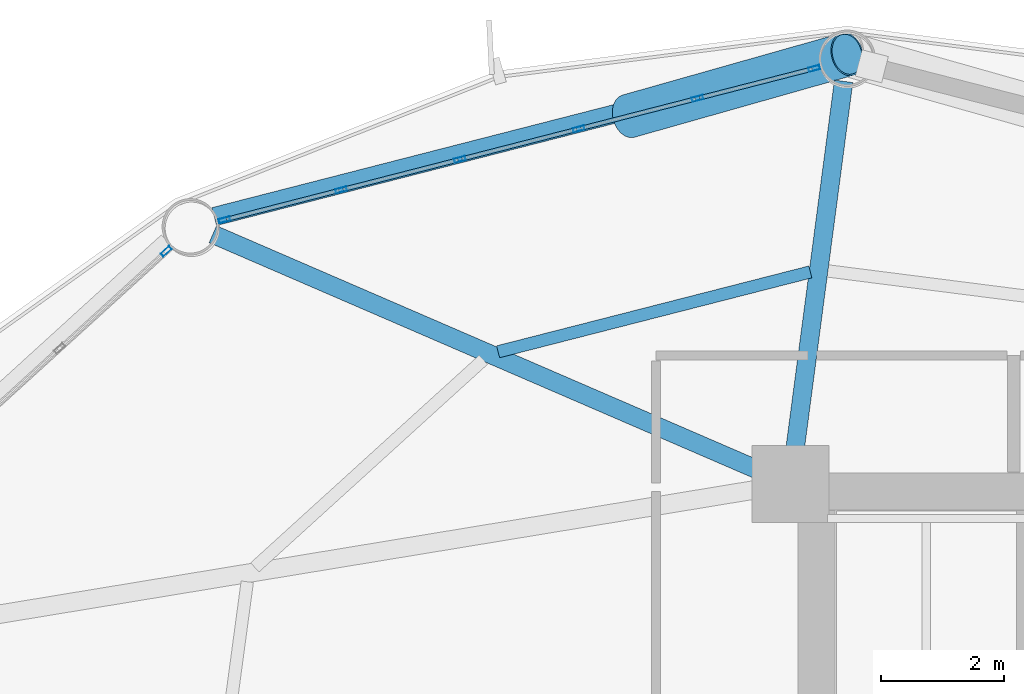
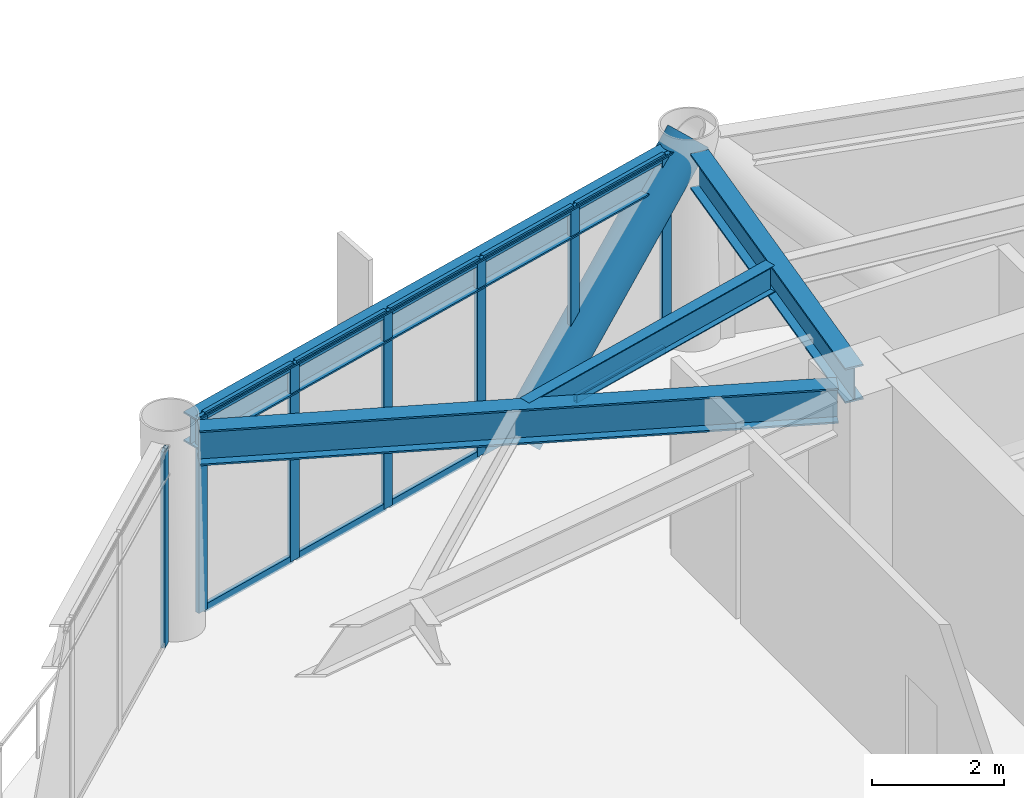
# One storey, part 16 of 25: 18 members, 4 beams, 2 elements without a shape of their own.
"""IFC4 building model written with IfcOpenShell, lengths in metres."""

import ifcopenshell
import ifcopenshell.guid

model = None  # the IFC model being written
_history = None  # IfcOwnerHistory: only IFC2X3 demands one
_inside = {}  # id of a spatial element -> (the spatial element, [elements in it])
_under = {}  # id of a project, library or spatial element -> (it, [spatial elements below it])
_declared = {}  # id of a project -> (the project, [libraries it declares])
_typed = {}  # id of a type object -> (the type object, [elements of that type])
_made_of = {}  # id of a material, layer set ... -> (it, [elements and type objects made of it])


def new_model(schema):
    """Start an empty IFC model of exactly this schema.

    Asked for "IFC4X3", IfcOpenShell would pick the latest addendum, in which some entities
    have other attributes; the version numbers below select the first issue.
    IFC2X3 requires an IfcOwnerHistory on every rooted entity: one is made here for all.
    """
    global model, _history
    if schema == "IFC4X3":
        model = ifcopenshell.file(schema_version=(4, 3, 0, 0))
    else:
        model = ifcopenshell.file(schema=schema)
    _inside.clear()
    _under.clear()
    _declared.clear()
    _typed.clear()
    _made_of.clear()
    _history = None
    if model.schema == "IFC2X3":
        org = make("IfcOrganization", Name="unknown")
        user = make(
            "IfcPersonAndOrganization",
            ThePerson=make("IfcPerson", FamilyName="unknown"),
            TheOrganization=org,
        )
        app = make(
            "IfcApplication",
            ApplicationDeveloper=org,
            Version="unknown",
            ApplicationFullName="unknown",
            ApplicationIdentifier="unknown",
        )
        _history = make(
            "IfcOwnerHistory",
            OwningUser=user,
            OwningApplication=app,
            ChangeAction="ADDED",
            CreationDate=0,
        )
    return model


def make(cls, **values):
    """One entity of the class cls with the attributes given. An attribute that is None is left unset."""
    return model.create_entity(
        cls, **{name: value for name, value in values.items() if value is not None}
    )


def rooted(cls, **values):
    """An entity with a GlobalId (a new one), such as an element, a storey or a relation."""
    return make(cls, GlobalId=ifcopenshell.guid.new(), OwnerHistory=_history, **values)


def si_unit(unit_type, name, prefix=None):
    """IfcSIUnit, for example si_unit("LENGTHUNIT", "METRE", prefix="MILLI")."""
    return make("IfcSIUnit", UnitType=unit_type, Prefix=prefix, Name=name)


def assignment(units):
    """IfcUnitAssignment: the units of a project."""
    return None if units is None else make("IfcUnitAssignment", Units=units)


def point(xyz):
    """IfcCartesianPoint."""
    return None if xyz is None else make("IfcCartesianPoint", Coordinates=xyz)


def direction(xyz):
    """IfcDirection."""
    return None if xyz is None else make("IfcDirection", DirectionRatios=xyz)


def frame(location, z_axis=None, x_axis=None):
    """IfcAxis2Placement3D, a coordinate frame: its origin and axes. An axis left out is left unset."""
    return make(
        "IfcAxis2Placement3D",
        Location=point(location),
        Axis=direction(z_axis),
        RefDirection=direction(x_axis),
    )


def frame_2d(location, x_axis=None):
    """IfcAxis2Placement2D, a coordinate frame in the plane: its origin and x axis."""
    return make(
        "IfcAxis2Placement2D", Location=point(location), RefDirection=direction(x_axis)
    )


def origin():
    """The frame at (0, 0, 0) with its axes left unset."""
    return frame((0.0, 0.0, 0.0))


def origin_2d():
    """The frame at (0, 0) in the plane with its x axis left unset."""
    return frame_2d((0.0, 0.0))


def place(relative_to, where):
    """IfcLocalPlacement: puts the frame where relative to a parent placement (None: the world)."""
    return make(
        "IfcLocalPlacement", PlacementRelTo=relative_to, RelativePlacement=where
    )


def context(
    kind, dimensions, precision=None, world=None, true_north=None, identifier=None
):
    """IfcGeometricRepresentationContext, for example the 3D "Model" context."""
    return make(
        "IfcGeometricRepresentationContext",
        ContextIdentifier=identifier,
        ContextType=kind,
        CoordinateSpaceDimension=dimensions,
        Precision=precision,
        WorldCoordinateSystem=world,
        TrueNorth=true_north,
    )


def subcontext(parent, identifier, kind, view, scale=None):
    """IfcGeometricRepresentationSubContext, for example "Body" below "Model"."""
    return make(
        "IfcGeometricRepresentationSubContext",
        ContextIdentifier=identifier,
        ContextType=kind,
        ParentContext=parent,
        TargetScale=scale,
        TargetView=view,
    )


def project(units=None, contexts=None):
    """IfcProject with its units and contexts."""
    return rooted(
        "IfcProject",
        Name="project",
        RepresentationContexts=contexts,
        UnitsInContext=assignment(units),
    )


def spatial(cls, under=None, at=None, **own):
    """A site, building, storey or space (cls), placed at a placement, below another one or the project."""
    s = rooted(cls, ObjectPlacement=at, **own)
    if under is not None:
        _under.setdefault(under.id(), (under, []))[1].append(s)
    return s


def profile(cls, at=None, kind="AREA", **sizes):
    """A parametric profile (cls). Its sizes go by their IFC names, for example OverallWidth=200.0."""
    return make(cls, ProfileType=kind, Position=at, **sizes)


def hollow_rectangle(**sizes):
    """IfcRectangleHollowProfileDef."""
    return profile("IfcRectangleHollowProfileDef", **sizes)


def hollow_circle(**sizes):
    """IfcCircleHollowProfileDef."""
    return profile("IfcCircleHollowProfileDef", **sizes)


def i_section(**sizes):
    """IfcIShapeProfileDef."""
    return profile("IfcIShapeProfileDef", **sizes)


def extrude(swept, where, along, depth):
    """IfcExtrudedAreaSolid: the profile swept, set in the frame where, extruded along a direction by depth."""
    return make(
        "IfcExtrudedAreaSolid",
        SweptArea=swept,
        Position=where,
        ExtrudedDirection=direction(along),
        Depth=depth,
    )


def shape(context_of_items, identifier, shape_type, items):
    """IfcShapeRepresentation: the items that make up one representation, for example the "Body"."""
    return make(
        "IfcShapeRepresentation",
        ContextOfItems=context_of_items,
        RepresentationIdentifier=identifier,
        RepresentationType=shape_type,
        Items=items,
    )


def material(Name=None, Category=None):
    """IfcMaterial."""
    return make("IfcMaterial", Name=Name, Category=Category)


def layer(
    of_material, thickness, ventilated=None, Name=None, Category=None, Priority=None
):
    """IfcMaterialLayer: one layer of a wall or slab, of a material (None: an air gap)."""
    return make(
        "IfcMaterialLayer",
        Material=of_material,
        LayerThickness=thickness,
        IsVentilated=ventilated,
        Name=Name,
        Category=Category,
        Priority=Priority,
    )


def layer_set(layers, Name=None):
    """IfcMaterialLayerSet."""
    return make("IfcMaterialLayerSet", MaterialLayers=layers, LayerSetName=Name)


def material_profile(
    of_material, cross_section, Name=None, Category=None, Priority=None
):
    """IfcMaterialProfile: a cross section and its material."""
    return make(
        "IfcMaterialProfile",
        Name=Name,
        Material=of_material,
        Profile=cross_section,
        Priority=Priority,
        Category=Category,
    )


def profile_set(profiles, Name=None, composite=None):
    """IfcMaterialProfileSet."""
    return make(
        "IfcMaterialProfileSet",
        Name=Name,
        MaterialProfiles=profiles,
        CompositeProfile=composite,
    )


def made_of(thing, what):
    """Note that an element or type object is made of a material, layer set ...; save() writes the relation."""
    if what is not None:
        _made_of.setdefault(what.id(), (what, []))[1].append(thing)
    return thing


def type_object(cls, material=None, **own):
    """A type object (cls), such as IfcWallType, which elements share."""
    return made_of(rooted(cls, **own), material)


def element(
    cls,
    number,
    at=None,
    inside=None,
    cuts=None,
    type_object=None,
    material=None,
    context=None,
    identifier="Body",
    shape_type=None,
    held_by="IfcProductDefinitionShape",
    body=None,
    shapes=None,
    **own,
):
    """One element of the class cls, such as IfcWall. Its Tag is "e" and its number.

    at: its placement. inside: the storey or other place that contains it. cuts: it is an
    opening in that element (IfcRelVoidsElement). A single representation is given by context,
    identifier, shape_type and body (its items); several are given by shapes. held_by: the class
    of the entity that holds the representations. save() writes the other relations.
    """
    e = rooted(cls, Tag="e%d" % number, ObjectPlacement=at, **own)
    if body is not None:
        shapes = [shape(context, identifier, shape_type, body)]
    if shapes is not None:
        e.Representation = make(held_by, Representations=shapes)
    if inside is not None:
        _inside.setdefault(inside.id(), (inside, []))[1].append(e)
    if cuts is not None:
        rooted(
            "IfcRelVoidsElement", RelatingBuildingElement=cuts, RelatedOpeningElement=e
        )
    if type_object is not None:
        _typed.setdefault(type_object.id(), (type_object, []))[1].append(e)
    return made_of(e, material)


def aggregate(whole, parts):
    """IfcRelAggregates: a whole, such as a stair, and the parts it consists of."""
    return rooted("IfcRelAggregates", RelatingObject=whole, RelatedObjects=parts)


def save(model, path):
    """Write the relations noted so far, then the file.

    IfcRelAggregates (storeys below a building ...), IfcRelContainedInSpatialStructure (elements
    in a storey), IfcRelDefinesByType, IfcRelAssociatesMaterial and IfcRelDeclares: one each for
    every whole, place, type object, material and project.
    """
    for whole, parts in _under.values():
        aggregate(whole, parts)
    for where, things in _inside.values():
        rooted(
            "IfcRelContainedInSpatialStructure",
            RelatedElements=things,
            RelatingStructure=where,
        )
    for kind, things in _typed.values():
        rooted("IfcRelDefinesByType", RelatedObjects=things, RelatingType=kind)
    for what, things in _made_of.values():
        rooted("IfcRelAssociatesMaterial", RelatedObjects=things, RelatingMaterial=what)
    for by, libraries in _declared.values():
        rooted("IfcRelDeclares", RelatingContext=by, RelatedDefinitions=libraries)
    model.write(path)


model = new_model("IFC4")

# Units and contexts
model_context = context("Model", 3, precision=1e-05, world=origin(), true_north=direction((0.0, 1.0)))
body_context = subcontext(model_context, "Body", "Model", "MODEL_VIEW")
ifc_project = project(units=[si_unit("LENGTHUNIT", "METRE"), si_unit("AREAUNIT", "SQUARE_METRE"), si_unit("VOLUMEUNIT", "CUBIC_METRE"), si_unit("PLANEANGLEUNIT", "RADIAN"), si_unit("MASSUNIT", "GRAM", prefix="KILO")], contexts=[model_context])

# Site, building, storey
site_placement = place(None, origin())
site = spatial("IfcSite", under=ifc_project, at=site_placement, CompositionType="ELEMENT")
building_placement = place(site_placement, origin())
building = spatial("IfcBuilding", under=site, at=building_placement, Name="Varnakorn Sky Granary", CompositionType="ELEMENT")
storey_placement = place(building_placement, frame((0.0, 0.0, 58.800048828125)))
storey = spatial("IfcBuildingStorey", under=building, at=storey_placement, Name="L14", CompositionType="ELEMENT", Elevation=58.800048828125)

# Beams
ifc_material_1 = material(Name="Steel S355JR", Category="steel")
ifc_material_profile_1 = material_profile(ifc_material_1, i_section(OverallWidth=0.300048828125, OverallDepth=0.64990234375, WebThickness=0.01611328125, FlangeThickness=0.031005859375, at=origin_2d()), Name="HE 650 B")
ifc_profile_set_1 = profile_set([ifc_material_profile_1], Name="Steel S355JR")
beam_type_1 = type_object("IfcBeamType", Name="BM-RAD-Z1", PredefinedType="BEAM", material=ifc_profile_set_1)
beam_1_placement = place(storey_placement, frame((-2.364990234375, 13.036376953125, 3.31494140625), z_axis=(0.130995683255, 0.991382938611, 0.0), x_axis=(-0.991382938611, 0.130995683255, 0.0)))
element("IfcBeam", 1, at=beam_1_placement, inside=storey, type_object=beam_type_1, Name="Radial Floor Girder RG04 L14", PredefinedType="BEAM", context=body_context, shape_type="SweptSolid", body=[
    extrude(i_section(OverallWidth=0.300048828125, OverallDepth=0.64990234375, WebThickness=0.01611328125, FlangeThickness=0.031005859375, at=origin_2d()), origin(), (0.0, 0.0, 1.0), 6.161376953125),
])
beam_2_placement = place(storey_placement, frame((-2.805419921875, 12.78662109375, 3.31494140625), z_axis=(-0.91787326187, 0.396873626164, 0.0), x_axis=(-0.396873626164, -0.91787326187, 0.0)))
element("IfcBeam", 2, at=beam_2_placement, inside=storey, type_object=beam_type_1, Name="Radial Floor Girder RG05 L14", PredefinedType="BEAM", context=body_context, shape_type="SweptSolid", body=[
    extrude(i_section(OverallWidth=0.300048828125, OverallDepth=0.64990234375, WebThickness=0.01611328125, FlangeThickness=0.031005859375, at=origin_2d()), origin(), (0.0, 0.0, 1.0), 9.77734375),
])
ifc_material_profile_2 = material_profile(ifc_material_1, i_section(OverallWidth=0.199951171875, OverallDepth=0.5, WebThickness=0.01025390625, FlangeThickness=0.01611328125, at=origin_2d()), Name="IPE 500")
ifc_profile_set_2 = profile_set([ifc_material_profile_2], Name="Steel S355JR")
beam_type_2 = type_object("IfcBeamType", Name="BM-SEC-Z1", PredefinedType="BEAM", material=ifc_profile_set_2)
beam_3_placement = place(storey_placement, frame((-2.09716796875, 16.055908203125, 3.389892578125), z_axis=(-0.968811056514, -0.247800598822, 0.0), x_axis=(0.247800598822, -0.968811056514, 0.0)))
element("IfcBeam", 3, at=beam_3_placement, inside=storey, type_object=beam_type_2, Name="Secondary Floor Chord Beam MSB04 L14", PredefinedType="BEAM", context=body_context, shape_type="SweptSolid", body=[
    extrude(i_section(OverallWidth=0.199951171875, OverallDepth=0.5, WebThickness=0.01025390625, FlangeThickness=0.01611328125, at=origin_2d()), origin(), (0.0, 0.0, 1.0), 5.22265625),
])
ifc_material_profile_3 = material_profile(ifc_material_1, i_section(OverallWidth=0.300048828125, OverallDepth=0.550048828125, WebThickness=0.014892578125, FlangeThickness=0.029052734375, at=origin_2d()), Name="HE 550 B")
ifc_profile_set_3 = profile_set([ifc_material_profile_3], Name="Steel S355JR")
beam_type_3 = type_object("IfcBeamType", Name="BM-SPD-Z1", PredefinedType="SPANDREL", material=ifc_profile_set_3)
beam_4_placement = place(storey_placement, frame((-1.927978515625, 19.47314453125, 3.364990234375), z_axis=(-0.968654217818, -0.24841297531, 0.0), x_axis=(0.24841297531, -0.968654217818, 0.0)))
element("IfcBeam", 4, at=beam_4_placement, inside=storey, type_object=beam_type_3, Name="Perimeter Spandrel Ring Beam RB04 L14", PredefinedType="SPANDREL", context=body_context, shape_type="SweptSolid", body=[
    extrude(i_section(OverallWidth=0.300048828125, OverallDepth=0.550048828125, WebThickness=0.014892578125, FlangeThickness=0.029052734375, at=origin_2d()), origin(), (0.0, 0.0, 1.0), 10.1474609375),
])

# Curtain wall, members
ifc_material_2 = material(Name="Anodised Bronze Aluminium Alloy 6063-T6", Category="aluminium")
ifc_layer = layer(ifc_material_2, 0.18994140625, Name="Anodised Bronze Aluminium Alloy 6063-T6")
ifc_layer_set = layer_set([ifc_layer], Name="Anodised Bronze Aluminium Alloy 6063-T6")
curtain_wall_type = type_object("IfcCurtainWallType", Name="CW-FRM-1", PredefinedType="USERDEFINED", material=ifc_layer_set)
curtain_wall_1_placement = place(storey_placement, origin())
curtain_wall_1 = element("IfcCurtainWall", 5, at=curtain_wall_1_placement, inside=storey, type_object=curtain_wall_type, Name="Unitised Curtain Wall CW3 CW-L14-B04", ObjectType="CURTAIN WALL", PredefinedType="USERDEFINED")
ifc_material_profile_4 = material_profile(ifc_material_2, hollow_rectangle(XDim=0.070068359375, YDim=0.18505859375, WallThickness=0.00390625, at=origin_2d()), Name="ALU MULL 70x185")
ifc_profile_set_4 = profile_set([ifc_material_profile_4], Name="Anodised Bronze Aluminium Alloy 6063-T6")
member_type_1 = type_object("IfcMemberType", Name="CW-FRM-1-MULL", PredefinedType="MULLION", material=ifc_profile_set_4)
member_1_placement = place(storey_placement, frame((-11.591796875, 16.899169921875, 0.0), z_axis=(0.0, 0.0, 1.0), x_axis=(-0.248656438193, 0.968591748749, 0.0)))
member_1 = element("IfcMember", 6, at=member_1_placement, type_object=member_type_1, Name="CW3 mullion 1", PredefinedType="MULLION", context=body_context, shape_type="SweptSolid", body=[
    extrude(hollow_rectangle(XDim=0.070068359375, YDim=0.18505859375, WallThickness=0.00390625, at=origin_2d()), origin(), (0.0, 0.0, 1.0), 3.639892578125),
])
member_2_placement = place(storey_placement, frame((-9.70068359375, 17.384765625, 0.0), z_axis=(0.0, 0.0, 1.0), x_axis=(-0.248656438193, 0.968591748749, 0.0)))
member_2 = element("IfcMember", 7, at=member_2_placement, type_object=member_type_1, Name="CW3 mullion 2", PredefinedType="MULLION", context=body_context, shape_type="SweptSolid", body=[
    extrude(hollow_rectangle(XDim=0.070068359375, YDim=0.18505859375, WallThickness=0.00390625, at=origin_2d()), origin(), (0.0, 0.0, 1.0), 3.639892578125),
])
member_3_placement = place(storey_placement, frame((-7.775634765625, 17.87890625, 0.0), z_axis=(0.0, 0.0, 1.0), x_axis=(-0.248656438193, 0.968591748749, 0.0)))
member_3 = element("IfcMember", 8, at=member_3_placement, type_object=member_type_1, Name="CW3 mullion 3", PredefinedType="MULLION", context=body_context, shape_type="SweptSolid", body=[
    extrude(hollow_rectangle(XDim=0.070068359375, YDim=0.18505859375, WallThickness=0.00390625, at=origin_2d()), origin(), (0.0, 0.0, 1.0), 3.639892578125),
])
member_4_placement = place(storey_placement, frame((-5.850830078125, 18.373046875, 0.0), z_axis=(0.0, 0.0, 1.0), x_axis=(-0.248656438193, 0.968591748749, 0.0)))
member_4 = element("IfcMember", 9, at=member_4_placement, type_object=member_type_1, Name="CW3 mullion 4", PredefinedType="MULLION", context=body_context, shape_type="SweptSolid", body=[
    extrude(hollow_rectangle(XDim=0.070068359375, YDim=0.18505859375, WallThickness=0.00390625, at=origin_2d()), origin(), (0.0, 0.0, 1.0), 3.639892578125),
])
member_5_placement = place(storey_placement, frame((-3.92578125, 18.8671875, 0.0), z_axis=(0.0, 0.0, 1.0), x_axis=(-0.248656438193, 0.968591748749, 0.0)))
member_5 = element("IfcMember", 10, at=member_5_placement, type_object=member_type_1, Name="CW3 mullion 5", PredefinedType="MULLION", context=body_context, shape_type="SweptSolid", body=[
    extrude(hollow_rectangle(XDim=0.070068359375, YDim=0.18505859375, WallThickness=0.00390625, at=origin_2d()), origin(), (0.0, 0.0, 1.0), 3.639892578125),
])
member_6_placement = place(storey_placement, frame((-2.03466796875, 19.352783203125, 0.0), z_axis=(0.0, 0.0, 1.0), x_axis=(-0.248656438193, 0.968591748749, 0.0)))
member_6 = element("IfcMember", 11, at=member_6_placement, type_object=member_type_1, Name="CW3 mullion 6", PredefinedType="MULLION", context=body_context, shape_type="SweptSolid", body=[
    extrude(hollow_rectangle(XDim=0.070068359375, YDim=0.18505859375, WallThickness=0.00390625, at=origin_2d()), origin(), (0.0, 0.0, 1.0), 3.639892578125),
])

# Curtain wall, member
curtain_wall_2_placement = place(storey_placement, origin())
curtain_wall_2 = element("IfcCurtainWall", 12, at=curtain_wall_2_placement, inside=storey, type_object=curtain_wall_type, Name="Unitised Curtain Wall CW3 CW-L14-B05", ObjectType="CURTAIN WALL", PredefinedType="USERDEFINED")
member_7_placement = place(storey_placement, frame((-12.53466796875, 16.39013671875, 0.0), z_axis=(0.0, 0.0, 1.0), x_axis=(-0.67331886602, 0.739352219623, 0.0)))
member_7 = element("IfcMember", 13, at=member_7_placement, type_object=member_type_1, Name="CW3 mullion 5", PredefinedType="MULLION", context=body_context, shape_type="SweptSolid", body=[
    extrude(hollow_rectangle(XDim=0.070068359375, YDim=0.18505859375, WallThickness=0.00390625, at=origin_2d()), origin(), (0.0, 0.0, 1.0), 3.639892578125),
])
aggregate(curtain_wall_2, [member_7])

# Member
ifc_material_profile_5 = material_profile(ifc_material_2, hollow_rectangle(XDim=0.070068359375, YDim=0.139892578125, WallThickness=0.00341796875, at=origin_2d()), Name="ALU TRAN 70x140")
ifc_profile_set_5 = profile_set([ifc_material_profile_5], Name="Anodised Bronze Aluminium Alloy 6063-T6")
member_type_2 = type_object("IfcMemberType", Name="CW-FRM-1-TRAN", PredefinedType="USERDEFINED", material=ifc_profile_set_5)
member_8_placement = place(storey_placement, frame((-11.557861328125, 16.907958984375, 0.034912109375), z_axis=(0.968597421327, 0.248634340745, 0.0), x_axis=(-0.248634340745, 0.968597421327, 0.0)))
member_8 = element("IfcMember", 14, at=member_8_placement, type_object=member_type_2, Name="CW3 transom 1.1", ObjectType="TRANSOM", PredefinedType="USERDEFINED", context=body_context, shape_type="SweptSolid", body=[
    extrude(hollow_rectangle(XDim=0.070068359375, YDim=0.139892578125, WallThickness=0.00341796875, at=origin_2d()), origin(), (0.0, 0.0, 1.0), 1.88232421875),
])

member_9_placement = place(storey_placement, frame((-11.557861328125, 16.907958984375, 3.60498046875), z_axis=(0.968597421327, 0.248634340745, 0.0), x_axis=(-0.248634340745, 0.968597421327, 0.0)))
member_9 = element("IfcMember", 15, at=member_9_placement, type_object=member_type_2, Name="CW3 transom 1.2", ObjectType="TRANSOM", PredefinedType="USERDEFINED", context=body_context, shape_type="SweptSolid", body=[
    extrude(hollow_rectangle(XDim=0.070068359375, YDim=0.139892578125, WallThickness=0.00341796875, at=origin_2d()), origin(), (0.0, 0.0, 1.0), 1.88232421875),
])

member_10_placement = place(storey_placement, frame((-9.666748046875, 17.393310546875, 0.034912109375), z_axis=(0.968587627616, 0.248672490697, 0.0), x_axis=(-0.248672490697, 0.968587627616, 0.0)))
member_10 = element("IfcMember", 16, at=member_10_placement, type_object=member_type_2, Name="CW3 transom 2.1", ObjectType="TRANSOM", PredefinedType="USERDEFINED", context=body_context, shape_type="SweptSolid", body=[
    extrude(hollow_rectangle(XDim=0.070068359375, YDim=0.139892578125, WallThickness=0.00341796875, at=origin_2d()), origin(), (0.0, 0.0, 1.0), 1.91748046875),
])

member_11_placement = place(storey_placement, frame((-9.666748046875, 17.393310546875, 3.60498046875), z_axis=(0.968587627616, 0.248672490697, 0.0), x_axis=(-0.248672490697, 0.968587627616, 0.0)))
member_11 = element("IfcMember", 17, at=member_11_placement, type_object=member_type_2, Name="CW3 transom 2.2", ObjectType="TRANSOM", PredefinedType="USERDEFINED", context=body_context, shape_type="SweptSolid", body=[
    extrude(hollow_rectangle(XDim=0.070068359375, YDim=0.139892578125, WallThickness=0.00341796875, at=origin_2d()), origin(), (0.0, 0.0, 1.0), 1.91748046875),
])

member_12_placement = place(storey_placement, frame((-7.741943359375, 17.887451171875, 0.034912109375), z_axis=(0.968587627616, 0.248672490697, 0.0), x_axis=(-0.248672490697, 0.968587627616, 0.0)))
member_12 = element("IfcMember", 18, at=member_12_placement, type_object=member_type_2, Name="CW3 transom 3.1", ObjectType="TRANSOM", PredefinedType="USERDEFINED", context=body_context, shape_type="SweptSolid", body=[
    extrude(hollow_rectangle(XDim=0.070068359375, YDim=0.139892578125, WallThickness=0.00341796875, at=origin_2d()), origin(), (0.0, 0.0, 1.0), 1.91748046875),
])

member_13_placement = place(storey_placement, frame((-7.741943359375, 17.887451171875, 3.60498046875), z_axis=(0.968587627616, 0.248672490697, 0.0), x_axis=(-0.248672490697, 0.968587627616, 0.0)))
member_13 = element("IfcMember", 19, at=member_13_placement, type_object=member_type_2, Name="CW3 transom 3.2", ObjectType="TRANSOM", PredefinedType="USERDEFINED", context=body_context, shape_type="SweptSolid", body=[
    extrude(hollow_rectangle(XDim=0.070068359375, YDim=0.139892578125, WallThickness=0.00341796875, at=origin_2d()), origin(), (0.0, 0.0, 1.0), 1.91748046875),
])

member_14_placement = place(storey_placement, frame((-5.81689453125, 18.3818359375, 0.034912109375), z_axis=(0.968618289694, 0.248553030299, 0.0), x_axis=(-0.248553030299, 0.968618289694, 0.0)))
member_14 = element("IfcMember", 20, at=member_14_placement, type_object=member_type_2, Name="CW3 transom 4.1", ObjectType="TRANSOM", PredefinedType="USERDEFINED", context=body_context, shape_type="SweptSolid", body=[
    extrude(hollow_rectangle(XDim=0.070068359375, YDim=0.139892578125, WallThickness=0.00341796875, at=origin_2d()), origin(), (0.0, 0.0, 1.0), 1.917236328125),
])

member_15_placement = place(storey_placement, frame((-5.81689453125, 18.3818359375, 3.60498046875), z_axis=(0.968618289694, 0.248553030299, 0.0), x_axis=(-0.248553030299, 0.968618289694, 0.0)))
member_15 = element("IfcMember", 21, at=member_15_placement, type_object=member_type_2, Name="CW3 transom 4.2", ObjectType="TRANSOM", PredefinedType="USERDEFINED", context=body_context, shape_type="SweptSolid", body=[
    extrude(hollow_rectangle(XDim=0.070068359375, YDim=0.139892578125, WallThickness=0.00341796875, at=origin_2d()), origin(), (0.0, 0.0, 1.0), 1.917236328125),
])

member_16_placement = place(storey_placement, frame((-3.891845703125, 18.8759765625, 0.034912109375), z_axis=(0.968597421327, 0.248634340745, 0.0), x_axis=(-0.248634340745, 0.968597421327, 0.0)))
member_16 = element("IfcMember", 22, at=member_16_placement, type_object=member_type_2, Name="CW3 transom 5.1", ObjectType="TRANSOM", PredefinedType="USERDEFINED", context=body_context, shape_type="SweptSolid", body=[
    extrude(hollow_rectangle(XDim=0.070068359375, YDim=0.139892578125, WallThickness=0.00341796875, at=origin_2d()), origin(), (0.0, 0.0, 1.0), 1.88232421875),
])

member_17_placement = place(storey_placement, frame((-3.891845703125, 18.8759765625, 3.60498046875), z_axis=(0.968597421327, 0.248634340745, 0.0), x_axis=(-0.248634340745, 0.968597421327, 0.0)))
member_17 = element("IfcMember", 23, at=member_17_placement, type_object=member_type_2, Name="CW3 transom 5.2", ObjectType="TRANSOM", PredefinedType="USERDEFINED", context=body_context, shape_type="SweptSolid", body=[
    extrude(hollow_rectangle(XDim=0.070068359375, YDim=0.139892578125, WallThickness=0.00341796875, at=origin_2d()), origin(), (0.0, 0.0, 1.0), 1.88232421875),
])

aggregate(curtain_wall_1, [member_1, member_2, member_3, member_4, member_5, member_6, member_8, member_9, member_10, member_11, member_12, member_13, member_14, member_15, member_16, member_17])

ifc_material_3 = material(Name="Steel S460M", Category="steel")
ifc_material_profile_6 = material_profile(ifc_material_3, hollow_circle(Radius=0.35546875, WallThickness=0.02490234375, at=origin_2d()), Name="CHS 711x25")
ifc_profile_set_6 = profile_set([ifc_material_profile_6], Name="Steel S460M")
member_type_3 = type_object("IfcMemberType", Name="MB-DIAG-T0", PredefinedType="BRACE", material=ifc_profile_set_6)
member_18_placement = place(storey_placement, frame((-5.042236328125, 18.58056640625, -0.130126953125), z_axis=(0.672242192433, 0.190242362818, 0.715470668933), x_axis=(-0.272302771362, 0.962211619504, 0.0)))
element("IfcMember", 24, at=member_18_placement, inside=storey, type_object=member_type_3, Name="Perimeter CHS Diagrid Brace DG04 L14", PredefinedType="BRACE", context=body_context, shape_type="SweptSolid", body=[
    extrude(hollow_circle(Radius=0.35546875, WallThickness=0.02490234375, at=origin_2d()), origin(), (0.0, 0.0, 1.0), 5.269287109375),
])

save(model, "model.ifc")
